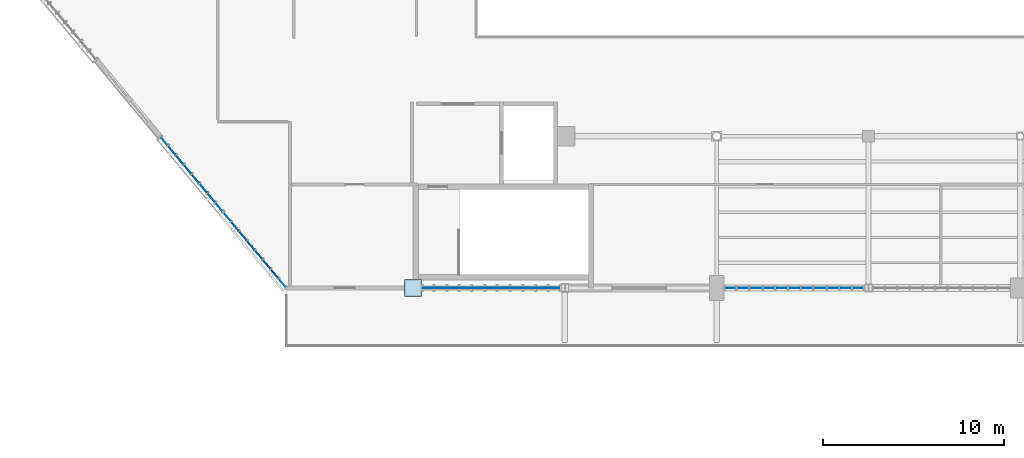
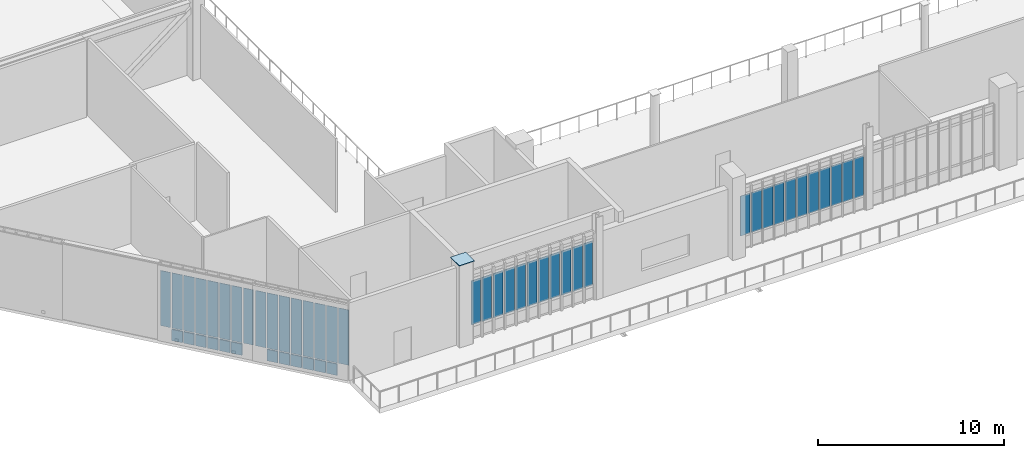
# One storey, part 71 of 135: 51 plates, 4 elements without a shape of their own.
"""IFC4 building model written with IfcOpenShell, lengths in metres."""

from ifc_helpers import new_model, si_unit, direction, frame, origin, origin_2d, place, context, subcontext, project, spatial, rectangle, extrude, material, layer, layer_set, type_object, element, aggregate, save


model = new_model("IFC4")

# Units and contexts
model_context = context("Model", 3, precision=1e-05, world=origin(), true_north=direction((0.0, 1.0)))
body_context = subcontext(model_context, "Body", "Model", "MODEL_VIEW")
ifc_project = project(units=[si_unit("LENGTHUNIT", "METRE"), si_unit("AREAUNIT", "SQUARE_METRE"), si_unit("VOLUMEUNIT", "CUBIC_METRE"), si_unit("PLANEANGLEUNIT", "RADIAN"), si_unit("MASSUNIT", "GRAM", prefix="KILO")], contexts=[model_context])

# Site, building, storey
site_placement = place(None, origin())
site = spatial("IfcSite", under=ifc_project, at=site_placement, CompositionType="ELEMENT")
building_placement = place(site_placement, origin())
building = spatial("IfcBuilding", under=site, at=building_placement, Name="Larkvane Passage Sports Hall", CompositionType="ELEMENT")
storey_placement = place(building_placement, frame((0.0, 0.0, 16.800048828125)))
storey = spatial("IfcBuildingStorey", under=building, at=storey_placement, Name="L03", CompositionType="ELEMENT", Elevation=16.800048828125)

# Curtain wall, plates
ifc_material_1 = material(Name="Thermally broken aluminium and low-E glazing", Category="aluminium")
curtain_wall_type_1 = type_object("IfcCurtainWallType", Name="CW-UNIT-COURT", PredefinedType="USERDEFINED", material=ifc_material_1)
curtain_wall_1_placement = place(storey_placement, origin())
curtain_wall_1 = element("IfcCurtainWall", 1, at=curtain_wall_1_placement, inside=storey, type_object=curtain_wall_type_1, Name="Curtain wall CW5-L03-128", ObjectType="UNITISED CURTAIN WALL", PredefinedType="USERDEFINED")
ifc_material_2 = material(Name="Insulated aluminium spandrel panel", Category="aluminium")
ifc_layer_1 = layer(ifc_material_2, 0.06494140625)
ifc_layer_set_1 = layer_set([ifc_layer_1], Name="Insulated aluminium spandrel panel")
plate_type_1 = type_object("IfcPlateType", Name="CWP-SPD-65", PredefinedType="CURTAIN_PANEL", material=ifc_layer_set_1)
plate_1_placement = place(storey_placement, frame((27.143798828125, 23.58740234375, 0.06494140625), z_axis=(0.0, 0.0, 1.0), x_axis=(-0.640184399661, 0.7682212796, 0.0)))
plate_1 = element("IfcPlate", 2, at=plate_1_placement, type_object=plate_type_1, Name="CW-01 panel 2.1", PredefinedType="CURTAIN_PANEL", context=body_context, shape_type="SweptSolid", body=[
    extrude(rectangle(XDim=0.618408203125, YDim=0.06494140625, at=origin_2d()), origin(), (0.0, 0.0, 1.0), 0.75244140625),
])
plate_2_placement = place(storey_placement, frame((26.706298828125, 24.112548828125, 0.06494140625), z_axis=(0.0, 0.0, 1.0), x_axis=(-0.640184399661, 0.7682212796, 0.0)))
plate_2 = element("IfcPlate", 3, at=plate_2_placement, type_object=plate_type_1, Name="CW-01 panel 3.1", PredefinedType="CURTAIN_PANEL", context=body_context, shape_type="SweptSolid", body=[
    extrude(rectangle(XDim=0.618408203125, YDim=0.06494140625, at=origin_2d()), origin(), (0.0, 0.0, 1.0), 0.75244140625),
])
plate_3_placement = place(storey_placement, frame((26.268798828125, 24.637451171875, 0.06494140625), z_axis=(0.0, 0.0, 1.0), x_axis=(-0.640184399661, 0.7682212796, 0.0)))
plate_3 = element("IfcPlate", 4, at=plate_3_placement, type_object=plate_type_1, Name="CW-01 panel 4.1", PredefinedType="CURTAIN_PANEL", context=body_context, shape_type="SweptSolid", body=[
    extrude(rectangle(XDim=0.618408203125, YDim=0.06494140625, at=origin_2d()), origin(), (0.0, 0.0, 1.0), 0.75244140625),
])
plate_4_placement = place(storey_placement, frame((25.831298828125, 25.16259765625, 0.06494140625), z_axis=(0.0, 0.0, 1.0), x_axis=(-0.640184399661, 0.7682212796, 0.0)))
plate_4 = element("IfcPlate", 5, at=plate_4_placement, type_object=plate_type_1, Name="CW-01 panel 5.1", PredefinedType="CURTAIN_PANEL", context=body_context, shape_type="SweptSolid", body=[
    extrude(rectangle(XDim=0.618408203125, YDim=0.06494140625, at=origin_2d()), origin(), (0.0, 0.0, 1.0), 0.75244140625),
])
plate_5_placement = place(storey_placement, frame((25.393798828125, 25.6875, 0.06494140625), z_axis=(0.0, 0.0, 1.0), x_axis=(-0.640184399661, 0.7682212796, 0.0)))
plate_5 = element("IfcPlate", 6, at=plate_5_placement, type_object=plate_type_1, Name="CW-01 panel 6.1", PredefinedType="CURTAIN_PANEL", context=body_context, shape_type="SweptSolid", body=[
    extrude(rectangle(XDim=0.618408203125, YDim=0.06494140625, at=origin_2d()), origin(), (0.0, 0.0, 1.0), 0.75244140625),
])
plate_6_placement = place(storey_placement, frame((24.956298828125, 26.21240234375, 0.06494140625), z_axis=(0.0, 0.0, 1.0), x_axis=(-0.640184399661, 0.7682212796, 0.0)))
plate_6 = element("IfcPlate", 7, at=plate_6_placement, type_object=plate_type_1, Name="CW-01 panel 7.1", PredefinedType="CURTAIN_PANEL", context=body_context, shape_type="SweptSolid", body=[
    extrude(rectangle(XDim=0.618408203125, YDim=0.06494140625, at=origin_2d()), origin(), (0.0, 0.0, 1.0), 0.75244140625),
])

curtain_wall_type_2 = type_object("IfcCurtainWallType", Name="CW-UNIT-VEIL", PredefinedType="USERDEFINED", material=ifc_material_1)
curtain_wall_2_placement = place(storey_placement, origin())
curtain_wall_2 = element("IfcCurtainWall", 8, at=curtain_wall_2_placement, inside=storey, type_object=curtain_wall_type_2, Name="Curtain wall CW5-L03-129", ObjectType="UNITISED CURTAIN WALL", PredefinedType="USERDEFINED")
ifc_material_3 = material(Name="Mineral-wool insulated spandrel cassette")
ifc_layer_2 = layer(ifc_material_3, 0.0849609375)
ifc_layer_set_2 = layer_set([ifc_layer_2], Name="Mineral-wool insulated spandrel cassette")
plate_type_2 = type_object("IfcPlateType", Name="CWP-SPD-85", PredefinedType="CURTAIN_PANEL", material=ifc_layer_set_2)
plate_7_placement = place(storey_placement, frame((23.643798828125, 27.78759765625, 0.07470703125), z_axis=(0.0, 0.0, 1.0), x_axis=(-0.640184399661, 0.7682212796, 0.0)))
plate_7 = element("IfcPlate", 9, at=plate_7_placement, type_object=plate_type_2, Name="CW-02 panel 2.1", PredefinedType="CURTAIN_PANEL", context=body_context, shape_type="SweptSolid", body=[
    extrude(rectangle(XDim=0.6083984375, YDim=0.0849609375, at=origin_2d()), origin(), (0.0, 0.0, 1.0), 0.737548828125),
])
plate_8_placement = place(storey_placement, frame((23.206298828125, 28.3125, 0.07470703125), z_axis=(0.0, 0.0, 1.0), x_axis=(-0.640184399661, 0.7682212796, 0.0)))
plate_8 = element("IfcPlate", 10, at=plate_8_placement, type_object=plate_type_2, Name="CW-02 panel 3.1", PredefinedType="CURTAIN_PANEL", context=body_context, shape_type="SweptSolid", body=[
    extrude(rectangle(XDim=0.6083984375, YDim=0.0849609375, at=origin_2d()), origin(), (0.0, 0.0, 1.0), 0.737548828125),
])
plate_9_placement = place(storey_placement, frame((22.768798828125, 28.83740234375, 0.07470703125), z_axis=(0.0, 0.0, 1.0), x_axis=(-0.640184399661, 0.7682212796, 0.0)))
plate_9 = element("IfcPlate", 11, at=plate_9_placement, type_object=plate_type_2, Name="CW-02 panel 4.1", PredefinedType="CURTAIN_PANEL", context=body_context, shape_type="SweptSolid", body=[
    extrude(rectangle(XDim=0.6083984375, YDim=0.0849609375, at=origin_2d()), origin(), (0.0, 0.0, 1.0), 0.737548828125),
])
plate_10_placement = place(storey_placement, frame((22.331298828125, 29.362548828125, 0.07470703125), z_axis=(0.0, 0.0, 1.0), x_axis=(-0.640184399661, 0.7682212796, 0.0)))
plate_10 = element("IfcPlate", 12, at=plate_10_placement, type_object=plate_type_2, Name="CW-02 panel 5.1", PredefinedType="CURTAIN_PANEL", context=body_context, shape_type="SweptSolid", body=[
    extrude(rectangle(XDim=0.6083984375, YDim=0.0849609375, at=origin_2d()), origin(), (0.0, 0.0, 1.0), 0.737548828125),
])
plate_11_placement = place(storey_placement, frame((21.893798828125, 29.887451171875, 0.07470703125), z_axis=(0.0, 0.0, 1.0), x_axis=(-0.640184399661, 0.7682212796, 0.0)))
plate_11 = element("IfcPlate", 13, at=plate_11_placement, type_object=plate_type_2, Name="CW-02 panel 6.1", PredefinedType="CURTAIN_PANEL", context=body_context, shape_type="SweptSolid", body=[
    extrude(rectangle(XDim=0.6083984375, YDim=0.0849609375, at=origin_2d()), origin(), (0.0, 0.0, 1.0), 0.737548828125),
])
plate_12_placement = place(storey_placement, frame((21.456298828125, 30.41259765625, 0.07470703125), z_axis=(0.0, 0.0, 1.0), x_axis=(-0.640184399661, 0.7682212796, 0.0)))
plate_12 = element("IfcPlate", 14, at=plate_12_placement, type_object=plate_type_2, Name="CW-02 panel 7.1", PredefinedType="CURTAIN_PANEL", context=body_context, shape_type="SweptSolid", body=[
    extrude(rectangle(XDim=0.6083984375, YDim=0.0849609375, at=origin_2d()), origin(), (0.0, 0.0, 1.0), 0.737548828125),
])

# Plate
ifc_material_4 = material(Name="Solar-control low-E double glazing", Category="glass")
ifc_layer_3 = layer(ifc_material_4, 0.028076171875)
ifc_layer_set_3 = layer_set([ifc_layer_3], Name="Solar-control low-E double glazing")
plate_type_3 = type_object("IfcPlateType", Name="CWP-VIS-28", PredefinedType="CURTAIN_PANEL", material=ifc_layer_set_3)
plate_13_placement = place(storey_placement, frame((27.57080078125, 23.074951171875, 0.88232421875), z_axis=(0.0, 0.0, 1.0), x_axis=(-0.640184399661, 0.7682212796, 0.0)))
plate_13 = element("IfcPlate", 15, at=plate_13_placement, type_object=plate_type_3, Name="CW-01 panel 1.2", PredefinedType="CURTAIN_PANEL", context=body_context, shape_type="SweptSolid", body=[
    extrude(rectangle(XDim=0.5859375, YDim=0.028076171875, at=origin_2d()), origin(), (0.0, 0.0, 1.0), 3.635009765625),
])

plate_14_placement = place(storey_placement, frame((27.143798828125, 23.58740234375, 0.88232421875), z_axis=(0.0, 0.0, 1.0), x_axis=(-0.640184399661, 0.7682212796, 0.0)))
plate_14 = element("IfcPlate", 16, at=plate_14_placement, type_object=plate_type_3, Name="CW-01 panel 2.2", PredefinedType="CURTAIN_PANEL", context=body_context, shape_type="SweptSolid", body=[
    extrude(rectangle(XDim=0.618408203125, YDim=0.028076171875, at=origin_2d()), origin(), (0.0, 0.0, 1.0), 3.635009765625),
])

plate_15_placement = place(storey_placement, frame((26.706298828125, 24.112548828125, 0.88232421875), z_axis=(0.0, 0.0, 1.0), x_axis=(-0.640184399661, 0.7682212796, 0.0)))
plate_15 = element("IfcPlate", 17, at=plate_15_placement, type_object=plate_type_3, Name="CW-01 panel 3.2", PredefinedType="CURTAIN_PANEL", context=body_context, shape_type="SweptSolid", body=[
    extrude(rectangle(XDim=0.618408203125, YDim=0.028076171875, at=origin_2d()), origin(), (0.0, 0.0, 1.0), 3.635009765625),
])

plate_16_placement = place(storey_placement, frame((26.268798828125, 24.637451171875, 0.88232421875), z_axis=(0.0, 0.0, 1.0), x_axis=(-0.640184399661, 0.7682212796, 0.0)))
plate_16 = element("IfcPlate", 18, at=plate_16_placement, type_object=plate_type_3, Name="CW-01 panel 4.2", PredefinedType="CURTAIN_PANEL", context=body_context, shape_type="SweptSolid", body=[
    extrude(rectangle(XDim=0.618408203125, YDim=0.028076171875, at=origin_2d()), origin(), (0.0, 0.0, 1.0), 3.635009765625),
])

plate_17_placement = place(storey_placement, frame((25.831298828125, 25.16259765625, 0.88232421875), z_axis=(0.0, 0.0, 1.0), x_axis=(-0.640184399661, 0.7682212796, 0.0)))
plate_17 = element("IfcPlate", 19, at=plate_17_placement, type_object=plate_type_3, Name="CW-01 panel 5.2", PredefinedType="CURTAIN_PANEL", context=body_context, shape_type="SweptSolid", body=[
    extrude(rectangle(XDim=0.618408203125, YDim=0.028076171875, at=origin_2d()), origin(), (0.0, 0.0, 1.0), 3.635009765625),
])

plate_18_placement = place(storey_placement, frame((25.393798828125, 25.6875, 0.88232421875), z_axis=(0.0, 0.0, 1.0), x_axis=(-0.640184399661, 0.7682212796, 0.0)))
plate_18 = element("IfcPlate", 20, at=plate_18_placement, type_object=plate_type_3, Name="CW-01 panel 6.2", PredefinedType="CURTAIN_PANEL", context=body_context, shape_type="SweptSolid", body=[
    extrude(rectangle(XDim=0.618408203125, YDim=0.028076171875, at=origin_2d()), origin(), (0.0, 0.0, 1.0), 3.635009765625),
])

plate_19_placement = place(storey_placement, frame((24.956298828125, 26.21240234375, 0.88232421875), z_axis=(0.0, 0.0, 1.0), x_axis=(-0.640184399661, 0.7682212796, 0.0)))
plate_19 = element("IfcPlate", 21, at=plate_19_placement, type_object=plate_type_3, Name="CW-01 panel 7.2", PredefinedType="CURTAIN_PANEL", context=body_context, shape_type="SweptSolid", body=[
    extrude(rectangle(XDim=0.618408203125, YDim=0.028076171875, at=origin_2d()), origin(), (0.0, 0.0, 1.0), 3.635009765625),
])

plate_20_placement = place(storey_placement, frame((24.529052734375, 26.72509765625, 0.88232421875), z_axis=(0.0, 0.0, 1.0), x_axis=(-0.640184399661, 0.7682212796, 0.0)))
plate_20 = element("IfcPlate", 22, at=plate_20_placement, type_object=plate_type_3, Name="CW-01 panel 8.2", PredefinedType="CURTAIN_PANEL", context=body_context, shape_type="SweptSolid", body=[
    extrude(rectangle(XDim=0.5859375, YDim=0.028076171875, at=origin_2d()), origin(), (0.0, 0.0, 1.0), 3.635009765625),
])

aggregate(curtain_wall_1, [plate_13, plate_1, plate_14, plate_2, plate_15, plate_3, plate_16, plate_4, plate_17, plate_5, plate_18, plate_6, plate_19, plate_20])

ifc_material_5 = material(Name="Laminated acoustic low-E glazing", Category="glass")
ifc_layer_4 = layer(ifc_material_5, 0.031982421875)
ifc_layer_set_4 = layer_set([ifc_layer_4], Name="Laminated acoustic low-E glazing")
plate_type_4 = type_object("IfcPlateType", Name="CWP-VIS-32", PredefinedType="CURTAIN_PANEL", material=ifc_layer_set_4)
plate_21_placement = place(storey_placement, frame((24.0693359375, 27.27685546875, 0.887451171875), z_axis=(0.0, 0.0, 1.0), x_axis=(-0.640184399661, 0.7682212796, 0.0)))
plate_21 = element("IfcPlate", 23, at=plate_21_placement, type_object=plate_type_4, Name="CW-02 panel 1.2", PredefinedType="CURTAIN_PANEL", context=body_context, shape_type="SweptSolid", body=[
    extrude(rectangle(XDim=0.57080078125, YDim=0.031982421875, at=origin_2d()), origin(), (0.0, 0.0, 1.0), 3.625),
])

plate_22_placement = place(storey_placement, frame((23.643798828125, 27.78759765625, 0.887451171875), z_axis=(0.0, 0.0, 1.0), x_axis=(-0.640184399661, 0.7682212796, 0.0)))
plate_22 = element("IfcPlate", 24, at=plate_22_placement, type_object=plate_type_4, Name="CW-02 panel 2.2", PredefinedType="CURTAIN_PANEL", context=body_context, shape_type="SweptSolid", body=[
    extrude(rectangle(XDim=0.6083984375, YDim=0.031982421875, at=origin_2d()), origin(), (0.0, 0.0, 1.0), 3.625),
])

plate_23_placement = place(storey_placement, frame((23.206298828125, 28.3125, 0.887451171875), z_axis=(0.0, 0.0, 1.0), x_axis=(-0.640184399661, 0.7682212796, 0.0)))
plate_23 = element("IfcPlate", 25, at=plate_23_placement, type_object=plate_type_4, Name="CW-02 panel 3.2", PredefinedType="CURTAIN_PANEL", context=body_context, shape_type="SweptSolid", body=[
    extrude(rectangle(XDim=0.6083984375, YDim=0.031982421875, at=origin_2d()), origin(), (0.0, 0.0, 1.0), 3.625),
])

plate_24_placement = place(storey_placement, frame((22.768798828125, 28.83740234375, 0.887451171875), z_axis=(0.0, 0.0, 1.0), x_axis=(-0.640184399661, 0.7682212796, 0.0)))
plate_24 = element("IfcPlate", 26, at=plate_24_placement, type_object=plate_type_4, Name="CW-02 panel 4.2", PredefinedType="CURTAIN_PANEL", context=body_context, shape_type="SweptSolid", body=[
    extrude(rectangle(XDim=0.6083984375, YDim=0.031982421875, at=origin_2d()), origin(), (0.0, 0.0, 1.0), 3.625),
])

plate_25_placement = place(storey_placement, frame((22.331298828125, 29.362548828125, 0.887451171875), z_axis=(0.0, 0.0, 1.0), x_axis=(-0.640184399661, 0.7682212796, 0.0)))
plate_25 = element("IfcPlate", 27, at=plate_25_placement, type_object=plate_type_4, Name="CW-02 panel 5.2", PredefinedType="CURTAIN_PANEL", context=body_context, shape_type="SweptSolid", body=[
    extrude(rectangle(XDim=0.6083984375, YDim=0.031982421875, at=origin_2d()), origin(), (0.0, 0.0, 1.0), 3.625),
])

plate_26_placement = place(storey_placement, frame((21.893798828125, 29.887451171875, 0.887451171875), z_axis=(0.0, 0.0, 1.0), x_axis=(-0.640184399661, 0.7682212796, 0.0)))
plate_26 = element("IfcPlate", 28, at=plate_26_placement, type_object=plate_type_4, Name="CW-02 panel 6.2", PredefinedType="CURTAIN_PANEL", context=body_context, shape_type="SweptSolid", body=[
    extrude(rectangle(XDim=0.6083984375, YDim=0.031982421875, at=origin_2d()), origin(), (0.0, 0.0, 1.0), 3.625),
])

plate_27_placement = place(storey_placement, frame((21.456298828125, 30.41259765625, 0.887451171875), z_axis=(0.0, 0.0, 1.0), x_axis=(-0.640184399661, 0.7682212796, 0.0)))
plate_27 = element("IfcPlate", 29, at=plate_27_placement, type_object=plate_type_4, Name="CW-02 panel 7.2", PredefinedType="CURTAIN_PANEL", context=body_context, shape_type="SweptSolid", body=[
    extrude(rectangle(XDim=0.6083984375, YDim=0.031982421875, at=origin_2d()), origin(), (0.0, 0.0, 1.0), 3.625),
])

plate_28_placement = place(storey_placement, frame((21.03076171875, 30.923095703125, 0.887451171875), z_axis=(0.0, 0.0, 1.0), x_axis=(-0.640184399661, 0.7682212796, 0.0)))
plate_28 = element("IfcPlate", 30, at=plate_28_placement, type_object=plate_type_4, Name="CW-02 panel 8.2", PredefinedType="CURTAIN_PANEL", context=body_context, shape_type="SweptSolid", body=[
    extrude(rectangle(XDim=0.57080078125, YDim=0.031982421875, at=origin_2d()), origin(), (0.0, 0.0, 1.0), 3.625),
])

aggregate(curtain_wall_2, [plate_21, plate_7, plate_22, plate_8, plate_23, plate_9, plate_24, plate_10, plate_25, plate_11, plate_26, plate_12, plate_27, plate_28])

# Curtain wall, plates
curtain_wall_type_3 = type_object("IfcCurtainWallType", Name="CW-STICK-FOYER", PredefinedType="USERDEFINED", material=ifc_material_1)
curtain_wall_3_placement = place(storey_placement, origin())
curtain_wall_3 = element("IfcCurtainWall", 31, at=curtain_wall_3_placement, inside=storey, type_object=curtain_wall_type_3, Name="Curtain wall CW5-L03-126", ObjectType="STICK CURTAIN WALL", PredefinedType="USERDEFINED")
ifc_material_6 = material(Name="High-impact court low-E glazing", Category="glass")
ifc_layer_5 = layer(ifc_material_6, 0.035888671875)
ifc_layer_set_5 = layer_set([ifc_layer_5], Name="High-impact court low-E glazing")
plate_type_5 = type_object("IfcPlateType", Name="CWP-VIS-36", PredefinedType="CURTAIN_PANEL", material=ifc_layer_set_5)
plate_29_placement = place(storey_placement, frame((59.42578125, 22.800048828125, 0.889892578125), z_axis=(0.0, 0.0, 1.0), x_axis=(-1.0, 0.0, 0.0)))
plate_29 = element("IfcPlate", 32, at=plate_29_placement, type_object=plate_type_5, Name="CW-03 panel 1.2", PredefinedType="CURTAIN_PANEL", context=body_context, shape_type="SweptSolid", body=[
    extrude(rectangle(XDim=0.589599609375, YDim=0.035888671875, at=origin_2d()), origin(), (0.0, 0.0, 1.0), 2.6279296875),
])
plate_30_placement = place(storey_placement, frame((58.736328125, 22.800048828125, 0.889892578125), z_axis=(0.0, 0.0, 1.0), x_axis=(-1.0, 0.0, 0.0)))
plate_30 = element("IfcPlate", 33, at=plate_30_placement, type_object=plate_type_5, Name="CW-03 panel 2.2", PredefinedType="CURTAIN_PANEL", context=body_context, shape_type="SweptSolid", body=[
    extrude(rectangle(XDim=0.62939453125, YDim=0.035888671875, at=origin_2d()), origin(), (0.0, 0.0, 1.0), 2.6279296875),
])
plate_31_placement = place(storey_placement, frame((58.02685546875, 22.800048828125, 0.889892578125), z_axis=(0.0, 0.0, 1.0), x_axis=(-1.0, 0.0, 0.0)))
plate_31 = element("IfcPlate", 34, at=plate_31_placement, type_object=plate_type_5, Name="CW-03 panel 3.2", PredefinedType="CURTAIN_PANEL", context=body_context, shape_type="SweptSolid", body=[
    extrude(rectangle(XDim=0.62939453125, YDim=0.035888671875, at=origin_2d()), origin(), (0.0, 0.0, 1.0), 2.6279296875),
])
plate_32_placement = place(storey_placement, frame((57.317138671875, 22.800048828125, 0.889892578125), z_axis=(0.0, 0.0, 1.0), x_axis=(-1.0, 0.0, 0.0)))
plate_32 = element("IfcPlate", 35, at=plate_32_placement, type_object=plate_type_5, Name="CW-03 panel 4.2", PredefinedType="CURTAIN_PANEL", context=body_context, shape_type="SweptSolid", body=[
    extrude(rectangle(XDim=0.62939453125, YDim=0.035888671875, at=origin_2d()), origin(), (0.0, 0.0, 1.0), 2.6279296875),
])
plate_33_placement = place(storey_placement, frame((56.607666015625, 22.800048828125, 0.889892578125), z_axis=(0.0, 0.0, 1.0), x_axis=(-1.0, 0.0, 0.0)))
plate_33 = element("IfcPlate", 36, at=plate_33_placement, type_object=plate_type_5, Name="CW-03 panel 5.2", PredefinedType="CURTAIN_PANEL", context=body_context, shape_type="SweptSolid", body=[
    extrude(rectangle(XDim=0.62939453125, YDim=0.035888671875, at=origin_2d()), origin(), (0.0, 0.0, 1.0), 2.6279296875),
])
plate_34_placement = place(storey_placement, frame((55.898193359375, 22.800048828125, 0.889892578125), z_axis=(0.0, 0.0, 1.0), x_axis=(-1.0, 0.0, 0.0)))
plate_34 = element("IfcPlate", 37, at=plate_34_placement, type_object=plate_type_5, Name="CW-03 panel 6.2", PredefinedType="CURTAIN_PANEL", context=body_context, shape_type="SweptSolid", body=[
    extrude(rectangle(XDim=0.62939453125, YDim=0.035888671875, at=origin_2d()), origin(), (0.0, 0.0, 1.0), 2.6279296875),
])
plate_35_placement = place(storey_placement, frame((55.188720703125, 22.800048828125, 0.889892578125), z_axis=(0.0, 0.0, 1.0), x_axis=(-1.0, 0.0, 0.0)))
plate_35 = element("IfcPlate", 38, at=plate_35_placement, type_object=plate_type_5, Name="CW-03 panel 7.2", PredefinedType="CURTAIN_PANEL", context=body_context, shape_type="SweptSolid", body=[
    extrude(rectangle(XDim=0.62939453125, YDim=0.035888671875, at=origin_2d()), origin(), (0.0, 0.0, 1.0), 2.6279296875),
])
plate_36_placement = place(storey_placement, frame((54.479248046875, 22.800048828125, 0.889892578125), z_axis=(0.0, 0.0, 1.0), x_axis=(-1.0, 0.0, 0.0)))
plate_36 = element("IfcPlate", 39, at=plate_36_placement, type_object=plate_type_5, Name="CW-03 panel 8.2", PredefinedType="CURTAIN_PANEL", context=body_context, shape_type="SweptSolid", body=[
    extrude(rectangle(XDim=0.62939453125, YDim=0.035888671875, at=origin_2d()), origin(), (0.0, 0.0, 1.0), 2.6279296875),
])
plate_37_placement = place(storey_placement, frame((53.769775390625, 22.800048828125, 0.889892578125), z_axis=(0.0, 0.0, 1.0), x_axis=(-1.0, 0.0, 0.0)))
plate_37 = element("IfcPlate", 40, at=plate_37_placement, type_object=plate_type_5, Name="CW-03 panel 9.2", PredefinedType="CURTAIN_PANEL", context=body_context, shape_type="SweptSolid", body=[
    extrude(rectangle(XDim=0.62939453125, YDim=0.035888671875, at=origin_2d()), origin(), (0.0, 0.0, 1.0), 2.6279296875),
])
plate_38_placement = place(storey_placement, frame((53.060302734375, 22.800048828125, 0.889892578125), z_axis=(0.0, 0.0, 1.0), x_axis=(-1.0, 0.0, 0.0)))
plate_38 = element("IfcPlate", 41, at=plate_38_placement, type_object=plate_type_5, Name="CW-03 panel 10.2", PredefinedType="CURTAIN_PANEL", context=body_context, shape_type="SweptSolid", body=[
    extrude(rectangle(XDim=0.62939453125, YDim=0.035888671875, at=origin_2d()), origin(), (0.0, 0.0, 1.0), 2.6279296875),
])
plate_39_placement = place(storey_placement, frame((52.370849609375, 22.800048828125, 0.889892578125), z_axis=(0.0, 0.0, 1.0), x_axis=(-1.0, 0.0, 0.0)))
plate_39 = element("IfcPlate", 42, at=plate_39_placement, type_object=plate_type_5, Name="CW-03 panel 11.2", PredefinedType="CURTAIN_PANEL", context=body_context, shape_type="SweptSolid", body=[
    extrude(rectangle(XDim=0.589599609375, YDim=0.035888671875, at=origin_2d()), origin(), (0.0, 0.0, 1.0), 2.6279296875),
])
aggregate(curtain_wall_3, [plate_29, plate_30, plate_31, plate_32, plate_33, plate_34, plate_35, plate_36, plate_37, plate_38, plate_39])

curtain_wall_type_4 = type_object("IfcCurtainWallType", Name="CW-CLINIC", PredefinedType="USERDEFINED", material=ifc_material_1)
curtain_wall_4_placement = place(storey_placement, origin())
curtain_wall_4 = element("IfcCurtainWall", 43, at=curtain_wall_4_placement, inside=storey, type_object=curtain_wall_type_4, Name="Curtain wall CW5-L03-127", ObjectType="UNITISED CURTAIN WALL", PredefinedType="USERDEFINED")
ifc_material_7 = material(Name="Triple-laminated typhoon glazing", Category="glass")
ifc_layer_6 = layer(ifc_material_7, 0.0419921875)
ifc_layer_set_6 = layer_set([ifc_layer_6], Name="Triple-laminated typhoon glazing")
plate_type_6 = type_object("IfcPlateType", Name="CWP-VIS-42", PredefinedType="CURTAIN_PANEL", material=ifc_layer_set_6)
plate_40_placement = place(storey_placement, frame((42.61572265625, 22.800048828125, 0.905029296875), z_axis=(0.0, 0.0, 1.0), x_axis=(-1.0, 0.0, 0.0)))
plate_40 = element("IfcPlate", 44, at=plate_40_placement, type_object=plate_type_6, Name="CW-05 panel 1.2", PredefinedType="CURTAIN_PANEL", context=body_context, shape_type="SweptSolid", body=[
    extrude(rectangle(XDim=0.53955078125, YDim=0.0419921875, at=origin_2d()), origin(), (0.0, 0.0, 1.0), 2.89794921875),
])
plate_41_placement = place(storey_placement, frame((41.938720703125, 22.800048828125, 0.905029296875), z_axis=(0.0, 0.0, 1.0), x_axis=(-1.0, 0.0, 0.0)))
plate_41 = element("IfcPlate", 45, at=plate_41_placement, type_object=plate_type_6, Name="CW-05 panel 2.2", PredefinedType="CURTAIN_PANEL", context=body_context, shape_type="SweptSolid", body=[
    extrude(rectangle(XDim=0.594482421875, YDim=0.0419921875, at=origin_2d()), origin(), (0.0, 0.0, 1.0), 2.89794921875),
])
plate_42_placement = place(storey_placement, frame((41.234130859375, 22.800048828125, 0.905029296875), z_axis=(0.0, 0.0, 1.0), x_axis=(-1.0, 0.0, 0.0)))
plate_42 = element("IfcPlate", 46, at=plate_42_placement, type_object=plate_type_6, Name="CW-05 panel 3.2", PredefinedType="CURTAIN_PANEL", context=body_context, shape_type="SweptSolid", body=[
    extrude(rectangle(XDim=0.594482421875, YDim=0.0419921875, at=origin_2d()), origin(), (0.0, 0.0, 1.0), 2.89794921875),
])
plate_43_placement = place(storey_placement, frame((40.52978515625, 22.800048828125, 0.905029296875), z_axis=(0.0, 0.0, 1.0), x_axis=(-1.0, 0.0, 0.0)))
plate_43 = element("IfcPlate", 47, at=plate_43_placement, type_object=plate_type_6, Name="CW-05 panel 4.2", PredefinedType="CURTAIN_PANEL", context=body_context, shape_type="SweptSolid", body=[
    extrude(rectangle(XDim=0.594482421875, YDim=0.0419921875, at=origin_2d()), origin(), (0.0, 0.0, 1.0), 2.89794921875),
])
plate_44_placement = place(storey_placement, frame((39.8251953125, 22.800048828125, 0.905029296875), z_axis=(0.0, 0.0, 1.0), x_axis=(-1.0, 0.0, 0.0)))
plate_44 = element("IfcPlate", 48, at=plate_44_placement, type_object=plate_type_6, Name="CW-05 panel 5.2", PredefinedType="CURTAIN_PANEL", context=body_context, shape_type="SweptSolid", body=[
    extrude(rectangle(XDim=0.594482421875, YDim=0.0419921875, at=origin_2d()), origin(), (0.0, 0.0, 1.0), 2.89794921875),
])
plate_45_placement = place(storey_placement, frame((39.120849609375, 22.800048828125, 0.905029296875), z_axis=(0.0, 0.0, 1.0), x_axis=(-1.0, 0.0, 0.0)))
plate_45 = element("IfcPlate", 49, at=plate_45_placement, type_object=plate_type_6, Name="CW-05 panel 6.2", PredefinedType="CURTAIN_PANEL", context=body_context, shape_type="SweptSolid", body=[
    extrude(rectangle(XDim=0.594482421875, YDim=0.0419921875, at=origin_2d()), origin(), (0.0, 0.0, 1.0), 2.89794921875),
])
plate_46_placement = place(storey_placement, frame((38.416259765625, 22.800048828125, 0.905029296875), z_axis=(0.0, 0.0, 1.0), x_axis=(-1.0, 0.0, 0.0)))
plate_46 = element("IfcPlate", 50, at=plate_46_placement, type_object=plate_type_6, Name="CW-05 panel 7.2", PredefinedType="CURTAIN_PANEL", context=body_context, shape_type="SweptSolid", body=[
    extrude(rectangle(XDim=0.594482421875, YDim=0.0419921875, at=origin_2d()), origin(), (0.0, 0.0, 1.0), 2.89794921875),
])
plate_47_placement = place(storey_placement, frame((37.711669921875, 22.800048828125, 0.905029296875), z_axis=(0.0, 0.0, 1.0), x_axis=(-1.0, 0.0, 0.0)))
plate_47 = element("IfcPlate", 51, at=plate_47_placement, type_object=plate_type_6, Name="CW-05 panel 8.2", PredefinedType="CURTAIN_PANEL", context=body_context, shape_type="SweptSolid", body=[
    extrude(rectangle(XDim=0.594482421875, YDim=0.0419921875, at=origin_2d()), origin(), (0.0, 0.0, 1.0), 2.89794921875),
])
plate_48_placement = place(storey_placement, frame((37.00732421875, 22.800048828125, 0.905029296875), z_axis=(0.0, 0.0, 1.0), x_axis=(-1.0, 0.0, 0.0)))
plate_48 = element("IfcPlate", 52, at=plate_48_placement, type_object=plate_type_6, Name="CW-05 panel 9.2", PredefinedType="CURTAIN_PANEL", context=body_context, shape_type="SweptSolid", body=[
    extrude(rectangle(XDim=0.594482421875, YDim=0.0419921875, at=origin_2d()), origin(), (0.0, 0.0, 1.0), 2.89794921875),
])
plate_49_placement = place(storey_placement, frame((36.302734375, 22.800048828125, 0.905029296875), z_axis=(0.0, 0.0, 1.0), x_axis=(-1.0, 0.0, 0.0)))
plate_49 = element("IfcPlate", 53, at=plate_49_placement, type_object=plate_type_6, Name="CW-05 panel 10.2", PredefinedType="CURTAIN_PANEL", context=body_context, shape_type="SweptSolid", body=[
    extrude(rectangle(XDim=0.594482421875, YDim=0.0419921875, at=origin_2d()), origin(), (0.0, 0.0, 1.0), 2.89794921875),
])
plate_50_placement = place(storey_placement, frame((35.625732421875, 22.800048828125, 0.905029296875), z_axis=(0.0, 0.0, 1.0), x_axis=(-1.0, 0.0, 0.0)))
plate_50 = element("IfcPlate", 54, at=plate_50_placement, type_object=plate_type_6, Name="CW-05 panel 11.2", PredefinedType="CURTAIN_PANEL", context=body_context, shape_type="SweptSolid", body=[
    extrude(rectangle(XDim=0.53955078125, YDim=0.0419921875, at=origin_2d()), origin(), (0.0, 0.0, 1.0), 2.89794921875),
])
aggregate(curtain_wall_4, [plate_40, plate_41, plate_42, plate_43, plate_44, plate_45, plate_46, plate_47, plate_48, plate_49, plate_50])

# Plate
ifc_material_8 = material(Name="Steel S460N", Category="steel")
ifc_layer_7 = layer(ifc_material_8, 0.035888671875)
ifc_layer_set_7 = layer_set([ifc_layer_7], Name="Steel S460N")
plate_type_7 = type_object("IfcPlateType", Name="PLT-CAP-36", PredefinedType="SHEET", material=ifc_layer_set_7)
plate_51_placement = place(storey_placement, frame((34.800048828125, 22.800048828125, 5.39990234375), z_axis=(0.0, 0.0, 1.0), x_axis=(1.0, 0.0, 0.0)))
element("IfcPlate", 55, at=plate_51_placement, inside=storey, type_object=plate_type_7, Name="Hollow section sealed end cap plate 0003", PredefinedType="SHEET", context=body_context, shape_type="SweptSolid", body=[
    extrude(rectangle(XDim=0.93994140625, YDim=0.93994140625, at=origin_2d()), origin(), (0.0, 0.0, 1.0), 0.035888671875),
])

save(model, "model.ifc")
